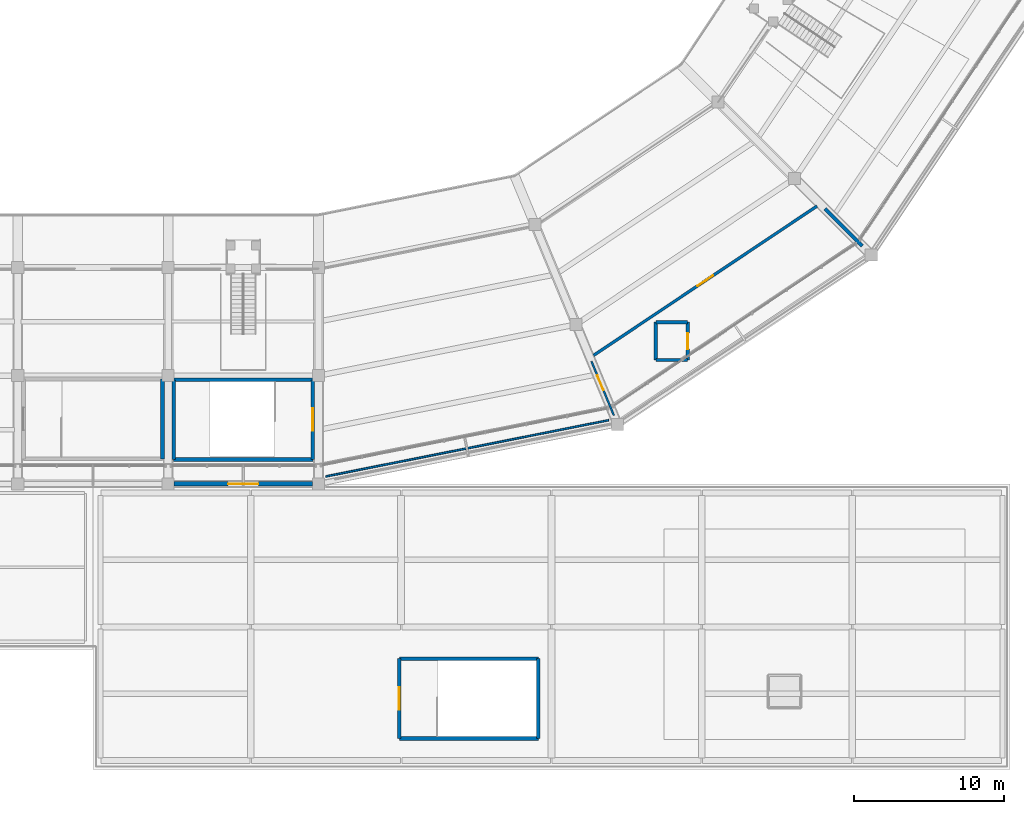
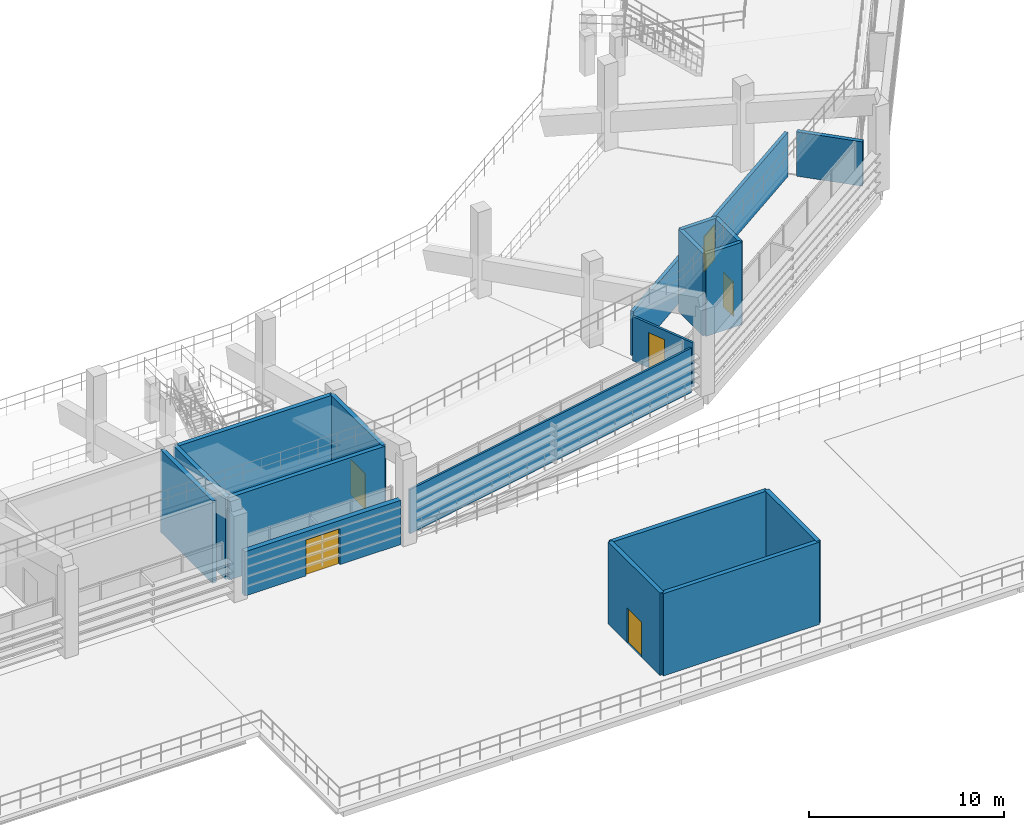
# One storey, part 64 of 96: 18 walls, 6 doors, 6 openings.
"""IFC4 building model written with IfcOpenShell, lengths in metres."""

from ifc_helpers import new_model, si_unit, direction, frame, frame_2d, origin, place, context, subcontext, project, spatial, rectangle, extrude, material, layer, layer_set, type_object, element, fill, save


model = new_model("IFC4")

# Units and contexts
model_context = context("Model", 3, precision=1e-05, world=origin(), true_north=direction((0.0, 1.0)))
body_context = subcontext(model_context, "Body", "Model", "MODEL_VIEW")
ifc_project = project(units=[si_unit("LENGTHUNIT", "METRE"), si_unit("AREAUNIT", "SQUARE_METRE"), si_unit("VOLUMEUNIT", "CUBIC_METRE"), si_unit("PLANEANGLEUNIT", "RADIAN"), si_unit("MASSUNIT", "GRAM", prefix="KILO")], contexts=[model_context])

# Site, building, storey
site_placement = place(None, origin())
site = spatial("IfcSite", under=ifc_project, at=site_placement, CompositionType="ELEMENT")
building_placement = place(site_placement, origin())
building = spatial("IfcBuilding", under=site, at=building_placement, Name="Candeia Ridge Stadium", CompositionType="ELEMENT")
storey_placement = place(building_placement, frame((0.0, 0.0, 21.60009765625)))
storey = spatial("IfcBuildingStorey", under=building, at=storey_placement, Name="L04", CompositionType="ELEMENT", Elevation=21.60009765625)

# Walls
ifc_material_1 = material(Name="Concrete C40/50", Category="concrete")
ifc_layer_1 = layer(ifc_material_1, 0.25, Name="Concrete C40/50", Category="concrete")
ifc_layer_set_1 = layer_set([ifc_layer_1], Name="Concrete C40/50")
wall_type_1 = type_object("IfcWallType", Name="Core Shear Wall Concrete 250", PredefinedType="SHEAR", material=ifc_layer_set_1)
wall_1_placement = place(storey_placement, frame((140.62451171875, 25.924560546875, 0.0), z_axis=(0.0, 0.0, 1.0), x_axis=(-1.0, 0.0, 0.0)))
element("IfcWall", 1, at=wall_1_placement, inside=storey, type_object=wall_type_1, Name="Core C03 left shear wall L04", PredefinedType="SHEAR", context=body_context, shape_type="SweptSolid", body=[
    extrude(rectangle(XDim=9.2490234375, YDim=0.25, at=frame_2d((4.62451171875, 0.0))), origin(), (0.0, 0.0, 1.0), 5.14990234375),
])
wall_2_placement = place(storey_placement, frame((131.37548828125, 25.924560546875, 0.0), z_axis=(0.0, 0.0, 1.0), x_axis=(0.0, -1.0, 0.0)))
element("IfcWall", 2, at=wall_2_placement, inside=storey, type_object=wall_type_1, Name="Core C03 far shear wall L04", PredefinedType="SHEAR", context=body_context, shape_type="SweptSolid", body=[
    extrude(rectangle(XDim=5.299072265625, YDim=0.25, at=frame_2d((2.6494140625, 0.0))), origin(), (0.0, 0.0, 1.0), 5.14990234375),
])
wall_3_placement = place(storey_placement, frame((131.37548828125, 20.62548828125, 0.0), z_axis=(0.0, 0.0, 1.0), x_axis=(1.0, 0.0, 0.0)))
element("IfcWall", 3, at=wall_3_placement, inside=storey, type_object=wall_type_1, Name="Core C03 right shear wall L04", PredefinedType="SHEAR", context=body_context, shape_type="SweptSolid", body=[
    extrude(rectangle(XDim=9.2490234375, YDim=0.25, at=frame_2d((4.62451171875, 0.0))), origin(), (0.0, 0.0, 1.0), 5.14990234375),
])

# Wall, opening, door
wall_4_placement = place(storey_placement, frame((140.62451171875, 20.62548828125, 0.0), z_axis=(0.0, 0.0, 1.0), x_axis=(0.0, 1.0, 0.0)))
wall_4 = element("IfcWall", 4, at=wall_4_placement, inside=storey, type_object=wall_type_1, Name="Core C03 near shear wall L04", PredefinedType="SHEAR", context=body_context, shape_type="SweptSolid", body=[
    extrude(rectangle(XDim=5.299072265625, YDim=0.25, at=frame_2d((2.6494140625, 0.0))), origin(), (0.0, 0.0, 1.0), 5.14990234375),
])
opening_1_placement = place(wall_4_placement, frame((1.899658203125, 0.0, 0.0)))
opening_1 = element("IfcOpeningElement", 5, at=opening_1_placement, cuts=wall_4, Name="Opening FD01", PredefinedType="OPENING", context=body_context, shape_type="SweptSolid", body=[
    extrude(rectangle(XDim=1.5, YDim=2.199951171875, at=frame_2d((0.75, 1.10009765625))), frame((0.0, 0.135009765625, 0.0), z_axis=(0.0, -1.0, 0.0), x_axis=(1.0, 0.0, 0.0)), (0.0, 0.0, 1.0), 0.27001953125),
])
ifc_material_2 = material(Name="Galvanized Fire-Rated Steel", Category="steel")
door_type_1 = type_object("IfcDoorType", Name="Exit Stair Core Fire Door 1500x2200", OperationType="NOTDEFINED", PredefinedType="DOOR", material=ifc_material_2)
door_1_placement = place(opening_1_placement, origin())
door_1 = element("IfcDoor", 6, at=door_1_placement, inside=storey, type_object=door_type_1, Name="Exit stair fire door SD-ST03-L04", OperationType="DOUBLE_DOOR_SINGLE_SWING", OverallHeight=2.199951171875, OverallWidth=1.5, PredefinedType="DOOR", context=body_context, shape_type="SweptSolid", body=[
    extrude(rectangle(XDim=1.5, YDim=2.199951171875, at=frame_2d((0.75, 1.10009765625))), frame((0.0, 0.02490234375, 0.0), z_axis=(0.0, -1.0, 0.0), x_axis=(1.0, 0.0, 0.0)), (0.0, 0.0, 1.0), 0.050048828125),
])
fill(opening_1, door_1)

# Walls
wall_5_placement = place(storey_placement, frame((130.62451171875, 20.67529296875, 0.0), z_axis=(0.0, 0.0, 1.0), x_axis=(0.0, 1.0, 0.0)))
element("IfcWall", 7, at=wall_5_placement, inside=storey, type_object=wall_type_1, Name="Core C12 far shear wall L04", PredefinedType="SHEAR", context=body_context, shape_type="SweptSolid", body=[
    extrude(rectangle(XDim=5.29931640625, YDim=0.25, at=frame_2d((2.649658203125, 0.0))), origin(), (0.0, 0.0, 1.0), 5.14990234375),
])
wall_6_placement = place(storey_placement, frame((146.37548828125, 2.075439453125, 0.0), z_axis=(0.0, 0.0, 1.0), x_axis=(1.0, 0.0, 0.0)))
element("IfcWall", 8, at=wall_6_placement, inside=storey, type_object=wall_type_1, Name="Core C14 left shear wall L04", PredefinedType="SHEAR", context=body_context, shape_type="SweptSolid", body=[
    extrude(rectangle(XDim=9.2490234375, YDim=0.25, at=frame_2d((4.62451171875, 0.0))), origin(), (0.0, 0.0, 1.0), 5.14990234375),
])
wall_7_placement = place(storey_placement, frame((155.62451171875, 2.075439453125, 0.0), z_axis=(0.0, 0.0, 1.0), x_axis=(0.0, 1.0, 0.0)))
element("IfcWall", 9, at=wall_7_placement, inside=storey, type_object=wall_type_1, Name="Core C14 far shear wall L04", PredefinedType="SHEAR", context=body_context, shape_type="SweptSolid", body=[
    extrude(rectangle(XDim=5.299072265625, YDim=0.25, at=frame_2d((2.6494140625, 0.0))), origin(), (0.0, 0.0, 1.0), 5.14990234375),
])
wall_8_placement = place(storey_placement, frame((155.62451171875, 7.37451171875, 0.0), z_axis=(0.0, 0.0, 1.0), x_axis=(-1.0, 0.0, 0.0)))
element("IfcWall", 10, at=wall_8_placement, inside=storey, type_object=wall_type_1, Name="Core C14 right shear wall L04", PredefinedType="SHEAR", context=body_context, shape_type="SweptSolid", body=[
    extrude(rectangle(XDim=9.2490234375, YDim=0.25, at=frame_2d((4.62451171875, 0.0))), origin(), (0.0, 0.0, 1.0), 5.14990234375),
])

# Wall, opening, door
wall_9_placement = place(storey_placement, frame((146.37548828125, 7.37451171875, 0.0), z_axis=(0.0, 0.0, 1.0), x_axis=(0.0, -1.0, 0.0)))
wall_9 = element("IfcWall", 11, at=wall_9_placement, inside=storey, type_object=wall_type_1, Name="Core C14 near shear wall L04", PredefinedType="SHEAR", context=body_context, shape_type="SweptSolid", body=[
    extrude(rectangle(XDim=5.299072265625, YDim=0.25, at=frame_2d((2.6494140625, 0.0))), origin(), (0.0, 0.0, 1.0), 5.14990234375),
])
opening_2_placement = place(wall_9_placement, frame((1.899658203125, 0.0, 0.0)))
opening_2 = element("IfcOpeningElement", 12, at=opening_2_placement, cuts=wall_9, Name="Opening FD01", PredefinedType="OPENING", context=body_context, shape_type="SweptSolid", body=[
    extrude(rectangle(XDim=1.5, YDim=2.199951171875, at=frame_2d((0.75, 1.10009765625))), frame((0.0, 0.135009765625, 0.0), z_axis=(0.0, -1.0, 0.0), x_axis=(1.0, 0.0, 0.0)), (0.0, 0.0, 1.0), 0.27001953125),
])
door_2_placement = place(opening_2_placement, origin())
door_2 = element("IfcDoor", 13, at=door_2_placement, inside=storey, type_object=door_type_1, Name="Exit stair fire door SD-ST14-L04", OperationType="DOUBLE_DOOR_SINGLE_SWING", OverallHeight=2.199951171875, OverallWidth=1.5, PredefinedType="DOOR", context=body_context, shape_type="SweptSolid", body=[
    extrude(rectangle(XDim=1.5, YDim=2.199951171875, at=frame_2d((0.75, 1.10009765625))), frame((0.0, 0.02490234375, 0.0), z_axis=(0.0, -1.0, 0.0), x_axis=(1.0, 0.0, 0.0)), (0.0, 0.0, 1.0), 0.050048828125),
])
fill(opening_2, door_2)

# Wall
ifc_material_3 = material(Name="Moisture-Resistant Masonry & Tile", Category="masonry")
ifc_layer_2 = layer(ifc_material_3, 0.22998046875, Name="Moisture-Resistant Masonry & Tile", Category="masonry")
ifc_layer_set_2 = layer_set([ifc_layer_2], Name="Moisture-Resistant Masonry & Tile")
wall_type_2 = type_object("IfcWallType", Name="Dressing Suite Wet-Wall Chase 230", PredefinedType="PLUMBINGWALL", material=ifc_layer_set_2)
wall_10_placement = place(storey_placement, frame((174.693603515625, 37.306396484375, 0.0), z_axis=(0.0, 0.0, 1.0), x_axis=(0.707106781187, -0.707106781187, 0.0)))
element("IfcWall", 14, at=wall_10_placement, inside=storey, type_object=wall_type_2, Name="Demising partition PT-L04-0661", PredefinedType="PLUMBINGWALL", context=body_context, shape_type="SweptSolid", body=[
    extrude(rectangle(XDim=3.5, YDim=0.22998046875, at=frame_2d((1.75, 0.0))), origin(), (0.0, 0.0, 1.0), 2.772216796875),
])

# Wall, opening, door
ifc_material_4 = material(Name="Concrete C35/45", Category="concrete")
ifc_layer_3 = layer(ifc_material_4, 0.300048828125, Name="Concrete C35/45", Category="concrete")
ifc_layer_set_3 = layer_set([ifc_layer_3], Name="Concrete C35/45")
wall_type_3 = type_object("IfcWallType", Name="Exterior Pavilion Rainscreen Wall 300", PredefinedType="SOLIDWALL", material=ifc_layer_set_3)
wall_11_placement = place(storey_placement, frame((131.387939453125, 19.0, 0.0), z_axis=(0.0, 0.0, 1.0), x_axis=(1.0, 0.0, 0.0)))
wall_11 = element("IfcWall", 15, at=wall_11_placement, inside=storey, type_object=wall_type_3, Name="Terrace threshold wall EW-L04-0219", PredefinedType="SOLIDWALL", context=body_context, shape_type="SweptSolid", body=[
    extrude(rectangle(XDim=9.22412109375, YDim=0.300048828125, at=frame_2d((4.612060546875, 0.0))), origin(), (0.0, 0.0, 1.0), 2.772216796875),
])
opening_3_placement = place(wall_11_placement, frame((3.612060546875, 0.0, 0.0)))
opening_3 = element("IfcOpeningElement", 16, at=opening_3_placement, cuts=wall_11, Name="Opening ED06", PredefinedType="OPENING", context=body_context, shape_type="SweptSolid", body=[
    extrude(rectangle(XDim=2.0, YDim=2.25, at=frame_2d((1.0, 1.125))), frame((0.0, 0.159912109375, 0.0), z_axis=(0.0, -1.0, 0.0), x_axis=(1.0, 0.0, 0.0)), (0.0, 0.0, 1.0), 0.320068359375),
])
ifc_material_5 = material(Name="Aluminium Thermal-Break Glazed Door", Category="aluminium")
door_type_2 = type_object("IfcDoorType", Name="Terrace Lounge Double Door 2000x2250", OperationType="NOTDEFINED", PredefinedType="DOOR", material=ifc_material_5)
door_3_placement = place(opening_3_placement, frame((2.0, 0.0, 0.0), z_axis=(0.0, 0.0, 1.0), x_axis=(-1.0, 0.0, 0.0)))
door_3 = element("IfcDoor", 17, at=door_3_placement, inside=storey, type_object=door_type_2, Name="South-east boulevard roof garden door TD-058", OperationType="DOUBLE_DOOR_SINGLE_SWING", OverallHeight=2.25, OverallWidth=2.0, PredefinedType="DOOR", context=body_context, shape_type="SweptSolid", body=[
    extrude(rectangle(XDim=2.0, YDim=2.25, at=frame_2d((1.0, 1.125))), frame((0.0, 0.02490234375, 0.0), z_axis=(0.0, -1.0, 0.0), x_axis=(1.0, 0.0, 0.0)), (0.0, 0.0, 1.0), 0.050048828125),
])
fill(opening_3, door_3)

# Wall
ifc_layer_4 = layer(ifc_material_1, 0.219970703125, Name="Concrete C40/50", Category="concrete")
ifc_layer_set_4 = layer_set([ifc_layer_4], Name="Concrete C40/50")
wall_type_4 = type_object("IfcWallType", Name="Lift & Riser Shaft Wall 220", PredefinedType="SHEAR", material=ifc_layer_set_4)
wall_12_placement = place(storey_placement, frame((163.43994140625, 27.239990234375, 0.0), z_axis=(0.0, 0.0, 1.0), x_axis=(1.0, 0.0, 0.0)))
element("IfcWall", 18, at=wall_12_placement, inside=storey, type_object=wall_type_4, Name="Lift EL1 shaft wall L04 south", PredefinedType="SHEAR", context=body_context, shape_type="SweptSolid", body=[
    extrude(rectangle(XDim=2.1201171875, YDim=0.219970703125, at=frame_2d((1.06005859375, 0.0))), origin(), (0.0, 0.0, 1.0), 5.14990234375),
])

# Wall, opening, door
wall_13_placement = place(storey_placement, frame((165.56005859375, 27.239990234375, 0.0), z_axis=(0.0, 0.0, 1.0), x_axis=(0.0, 1.0, 0.0)))
wall_13 = element("IfcWall", 19, at=wall_13_placement, inside=storey, type_object=wall_type_4, Name="Lift EL1 shaft wall L04 east", PredefinedType="SHEAR", context=body_context, shape_type="SweptSolid", body=[
    extrude(rectangle(XDim=2.52001953125, YDim=0.219970703125, at=frame_2d((1.260009765625, 0.0))), origin(), (0.0, 0.0, 1.0), 5.14990234375),
])
opening_4_placement = place(wall_13_placement, frame((0.735107421875, 0.0, 0.0)))
opening_4 = element("IfcOpeningElement", 20, at=opening_4_placement, cuts=wall_13, Name="Opening LD02", PredefinedType="OPENING", context=body_context, shape_type="SweptSolid", body=[
    extrude(rectangle(XDim=1.050048828125, YDim=2.14990234375, at=frame_2d((0.52490234375, 1.074951171875))), frame((0.0, 0.119873046875, 0.0), z_axis=(0.0, -1.0, 0.0), x_axis=(1.0, 0.0, 0.0)), (0.0, 0.0, 1.0), 0.239990234375),
])
ifc_material_6 = material(Name="Brushed Stainless Steel", Category="steel")
door_type_3 = type_object("IfcDoorType", Name="Passenger Lift Landing Door 1050x2150", OperationType="NOTDEFINED", PredefinedType="DOOR", material=ifc_material_6)
door_4_placement = place(opening_4_placement, origin())
door_4 = element("IfcDoor", 21, at=door_4_placement, inside=storey, type_object=door_type_3, Name="Lift landing sliding door LD-EL1-L04", OperationType="DOUBLE_DOOR_SLIDING", OverallHeight=2.14990234375, OverallWidth=1.050048828125, PredefinedType="DOOR", context=body_context, shape_type="SweptSolid", body=[
    extrude(rectangle(XDim=1.050048828125, YDim=2.14990234375, at=frame_2d((0.52490234375, 1.074951171875))), frame((0.0, 0.02490234375, 0.0), z_axis=(0.0, -1.0, 0.0), x_axis=(1.0, 0.0, 0.0)), (0.0, 0.0, 1.0), 0.050048828125),
])
fill(opening_4, door_4)

# Walls
wall_14_placement = place(storey_placement, frame((165.56005859375, 29.760009765625, 0.0), z_axis=(0.0, 0.0, 1.0), x_axis=(-1.0, 0.0, 0.0)))
element("IfcWall", 22, at=wall_14_placement, inside=storey, type_object=wall_type_4, Name="Lift EL1 shaft wall L04 north", PredefinedType="SHEAR", context=body_context, shape_type="SweptSolid", body=[
    extrude(rectangle(XDim=2.1201171875, YDim=0.219970703125, at=frame_2d((1.06005859375, 0.0))), origin(), (0.0, 0.0, 1.0), 5.14990234375),
])
wall_15_placement = place(storey_placement, frame((163.43994140625, 29.760009765625, 0.0), z_axis=(0.0, 0.0, 1.0), x_axis=(0.0, -1.0, 0.0)))
element("IfcWall", 23, at=wall_15_placement, inside=storey, type_object=wall_type_4, Name="Lift EL1 shaft wall L04 west", PredefinedType="SHEAR", context=body_context, shape_type="SweptSolid", body=[
    extrude(rectangle(XDim=2.52001953125, YDim=0.219970703125, at=frame_2d((1.260009765625, 0.0))), origin(), (0.0, 0.0, 1.0), 5.14990234375),
])

# Wall, opening, door
ifc_material_7 = material(Name="Gypsum Acoustic Triple-Board Wall", Category="gypsum")
ifc_layer_5 = layer(ifc_material_7, 0.18994140625, Name="Gypsum Acoustic Triple-Board Wall", Category="gypsum")
ifc_layer_set_5 = layer_set([ifc_layer_5], Name="Gypsum Acoustic Triple-Board Wall")
wall_type_5 = type_object("IfcWallType", Name="Media & Commentary Studio Wall 190", PredefinedType="PARTITIONING", material=ifc_layer_set_5)
wall_16_placement = place(storey_placement, frame((159.3037109375, 27.553955078125, 0.0), z_axis=(0.0, 0.0, 1.0), x_axis=(0.831469939309, 0.55556974362, 0.0)))
wall_16 = element("IfcWall", 24, at=wall_16_placement, inside=storey, type_object=wall_type_5, Name="Interior partition PT-L04-0660", PredefinedType="PARTITIONING", context=body_context, shape_type="SweptSolid", body=[
    extrude(rectangle(XDim=17.87646484375, YDim=0.18994140625, at=frame_2d((8.938232421875, 0.0))), origin(), (0.0, 0.0, 1.0), 2.772216796875),
])
opening_5_placement = place(wall_16_placement, frame((8.313232421875, 0.0, 0.0)))
opening_5 = element("IfcOpeningElement", 25, at=opening_5_placement, cuts=wall_16, Name="Opening ID11", PredefinedType="OPENING", context=body_context, shape_type="SweptSolid", body=[
    extrude(rectangle(XDim=1.25, YDim=2.199951171875, at=frame_2d((0.625, 1.10009765625))), frame((0.0, 0.10498046875, 0.0), z_axis=(0.0, -1.0, 0.0), x_axis=(1.0, 0.0, 0.0)), (0.0, 0.0, 1.0), 0.2099609375),
])
ifc_material_8 = material(Name="Acoustic Timber Studio Leaf", Category="wood")
door_type_4 = type_object("IfcDoorType", Name="Press Tribune Acoustic Door 1250x2200", OperationType="NOTDEFINED", PredefinedType="DOOR", material=ifc_material_8)
door_5_placement = place(opening_5_placement, frame((1.25, 0.0, 0.0), z_axis=(0.0, 0.0, 1.0), x_axis=(-1.0, 0.0, 0.0)))
door_5 = element("IfcDoor", 26, at=door_5_placement, inside=storey, type_object=door_type_4, Name="Interior room door D-L04-0339", OperationType="SINGLE_SWING_RIGHT", OverallHeight=2.199951171875, OverallWidth=1.25, PredefinedType="DOOR", context=body_context, shape_type="SweptSolid", body=[
    extrude(rectangle(XDim=1.25, YDim=2.199951171875, at=frame_2d((0.625, 1.10009765625))), frame((0.0, 0.02490234375, 0.0), z_axis=(0.0, -1.0, 0.0), x_axis=(1.0, 0.0, 0.0)), (0.0, 0.0, 1.0), 0.050048828125),
])
fill(opening_5, door_5)

# Wall
ifc_material_9 = material(Name="Gypsum Metal-Stud Partition", Category="gypsum")
ifc_layer_6 = layer(ifc_material_9, 0.1201171875, Name="Gypsum Metal-Stud Partition", Category="gypsum")
ifc_layer_set_6 = layer_set([ifc_layer_6], Name="Gypsum Metal-Stud Partition")
wall_type_6 = type_object("IfcWallType", Name="Suite Internal Divider 120", PredefinedType="PARTITIONING", material=ifc_layer_set_6)
wall_17_placement = place(storey_placement, frame((160.30517578125, 23.239990234375, 0.0), z_axis=(0.0, 0.0, 1.0), x_axis=(-0.98078659802, -0.195083697793, 0.0)))
element("IfcWall", 27, at=wall_17_placement, inside=storey, type_object=wall_type_6, Name="Demising partition PT-L04-0659", PredefinedType="PARTITIONING", context=body_context, shape_type="SweptSolid", body=[
    extrude(rectangle(XDim=19.1923828125, YDim=0.1201171875, at=frame_2d((9.59619140625, 0.0))), origin(), (0.0, 0.0, 1.0), 2.772216796875),
])

# Wall, opening, door
ifc_layer_7 = layer(ifc_material_9, 0.1298828125, Name="Gypsum Metal-Stud Partition", Category="gypsum")
ifc_layer_set_7 = layer_set([ifc_layer_7], Name="Gypsum Metal-Stud Partition")
wall_type_7 = type_object("IfcWallType", Name="Ticketing Back-Office Partition 130", PredefinedType="PARTITIONING", material=ifc_layer_set_7)
wall_18_placement = place(storey_placement, frame((159.158447265625, 27.161865234375, 0.0), z_axis=(0.0, 0.0, 1.0), x_axis=(0.382685369162, -0.923878730261, 0.0)))
wall_18 = element("IfcWall", 28, at=wall_18_placement, inside=storey, type_object=wall_type_7, Name="Interior partition PT-L04-0658", PredefinedType="PARTITIONING", context=body_context, shape_type="SweptSolid", body=[
    extrude(rectangle(XDim=3.89990234375, YDim=0.1298828125, at=frame_2d((1.949951171875, 0.0))), origin(), (0.0, 0.0, 1.0), 2.772216796875),
])
opening_6_placement = place(wall_18_placement, frame((1.02490234375, 0.0, 0.0)))
opening_6 = element("IfcOpeningElement", 29, at=opening_6_placement, cuts=wall_18, Name="Opening ID01", PredefinedType="OPENING", context=body_context, shape_type="SweptSolid", body=[
    extrude(rectangle(XDim=1.050048828125, YDim=2.199951171875, at=frame_2d((0.52490234375, 1.10009765625))), frame((0.0, 0.074951171875, 0.0), z_axis=(0.0, -1.0, 0.0), x_axis=(1.0, 0.0, 0.0)), (0.0, 0.0, 1.0), 0.14990234375),
])
ifc_material_10 = material(Name="Western Red Cedar Acoustic Veneer", Category="wood")
door_type_5 = type_object("IfcDoorType", Name="Hospitality Suite Entrance Door 1050x2200", OperationType="NOTDEFINED", PredefinedType="DOOR", material=ifc_material_10)
door_6_placement = place(opening_6_placement, frame((1.050048828125, 0.0, 0.0), z_axis=(0.0, 0.0, 1.0), x_axis=(-1.0, 0.0, 0.0)))
door_6 = element("IfcDoor", 30, at=door_6_placement, inside=storey, type_object=door_type_5, Name="Interior room door D-L04-0338", OperationType="SINGLE_SWING_LEFT", OverallHeight=2.199951171875, OverallWidth=1.050048828125, PredefinedType="DOOR", context=body_context, shape_type="SweptSolid", body=[
    extrude(rectangle(XDim=1.050048828125, YDim=2.199951171875, at=frame_2d((0.52490234375, 1.10009765625))), frame((0.0, 0.02490234375, 0.0), z_axis=(0.0, -1.0, 0.0), x_axis=(1.0, 0.0, 0.0)), (0.0, 0.0, 1.0), 0.050048828125),
])
fill(opening_6, door_6)

save(model, "model.ifc")
